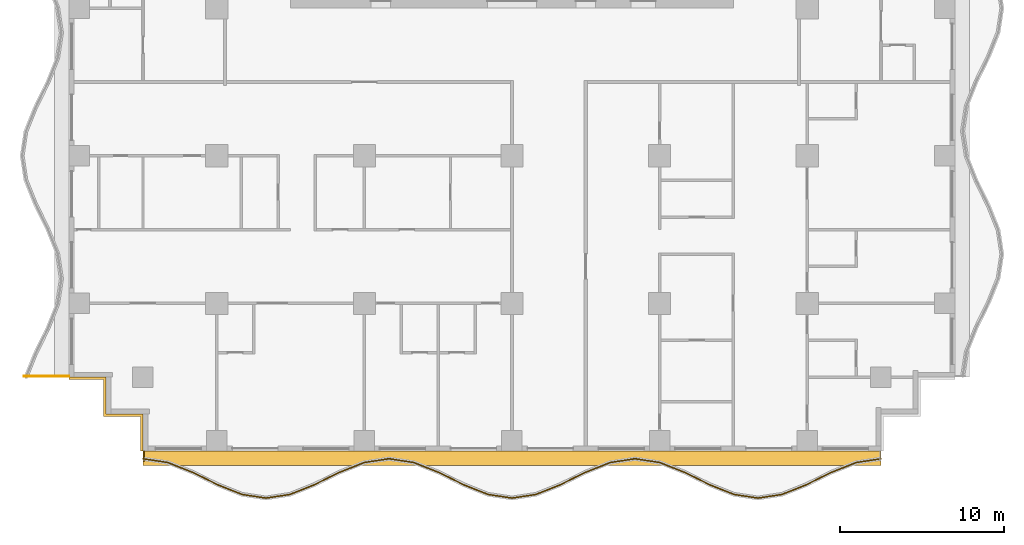
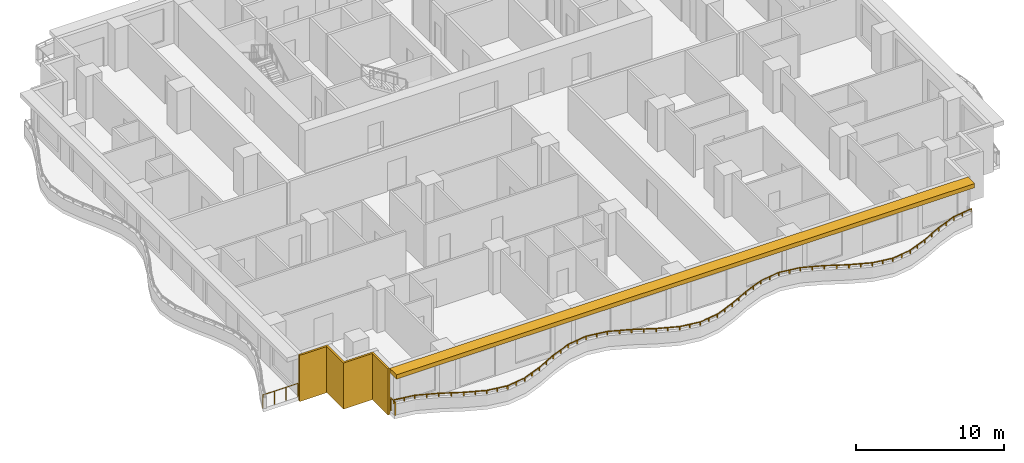
# One storey, part 7 of 13: 3 railings, 2 shading devices.
"""IFC4 building model written with IfcOpenShell, lengths in metres."""

from ifc_helpers import new_model, si_unit, direction, frame, origin, origin_2d, place, context, subcontext, project, spatial, polyline, rectangle, outline, extrude, material, layer, layer_set, type_object, element, save


model = new_model("IFC4")

# Units and contexts
model_context = context("Model", 3, precision=1e-05, world=origin(), true_north=direction((0.0, 1.0)))
body_context = subcontext(model_context, "Body", "Model", "MODEL_VIEW")
ifc_project = project(units=[si_unit("LENGTHUNIT", "METRE"), si_unit("AREAUNIT", "SQUARE_METRE"), si_unit("VOLUMEUNIT", "CUBIC_METRE"), si_unit("PLANEANGLEUNIT", "RADIAN"), si_unit("MASSUNIT", "GRAM", prefix="KILO")], contexts=[model_context])

# Site, building, storey
site_placement = place(None, origin())
site = spatial("IfcSite", under=ifc_project, at=site_placement, CompositionType="ELEMENT")
building_placement = place(site_placement, origin())
building = spatial("IfcBuilding", under=site, at=building_placement, Name="Orbiselva Terraces", CompositionType="ELEMENT")
storey_placement = place(building_placement, frame((0.0, 0.0, 99.8)))
storey = spatial("IfcBuildingStorey", under=building, at=storey_placement, Name="L25", CompositionType="ELEMENT", Elevation=99.8)

# Railings
ifc_material_1 = material(Name="Bonded two-ply safety glass balustrade, stainless steel posts", Category="steel")
railing_type_1 = type_object("IfcRailingType", Name="ENV-BALUSTRADE-1200", PredefinedType="BALUSTRADE", material=ifc_material_1)
railing_1_placement = place(storey_placement, frame((-22.481121, -22.976434, 0.9)))
element("IfcRailing", 1, at=railing_1_placement, inside=storey, type_object=railing_type_1, Name="Balcony balustrade L25 S", PredefinedType="BALUSTRADE", context=body_context, shape_type="SweptSolid", body=[
    extrude(outline(polyline([(0.028868, 0.0), (0.014434, 0.025), (-0.014434, 0.025), (-0.028868, 0.0), (-0.014434, -0.025), (0.014434, -0.025), (0.028868, 0.0)])), frame((0.0, 0.0, 0.275), z_axis=(0.988528588529, -0.151033869252, 0.0), x_axis=(0.151033869252, 0.988528588529, 0.0)), (0.0, 0.0, 1.0), 1.531776),
    extrude(outline(polyline([(0.028868, 0.0), (0.014434, 0.025), (-0.014434, 0.025), (-0.028868, 0.0), (-0.014434, -0.025), (0.014434, -0.025), (0.028868, 0.0)])), frame((1.514204, -0.23135, 0.275), z_axis=(0.92847681744, -0.371390359967, 0.0), x_axis=(0.371390359967, 0.92847681744, 0.0)), (0.0, 0.0, 1.0), 1.634838),
    extrude(outline(polyline([(0.028868, 0.0), (0.014434, 0.025), (-0.014434, 0.025), (-0.028868, 0.0), (-0.014434, -0.025), (0.014434, -0.025), (0.028868, 0.0)])), frame((3.032113, -0.838513, 0.275), z_axis=(0.896416672454, -0.443212307306, 0.0), x_axis=(0.443212307306, 0.896416672454, 0.0)), (0.0, 0.0, 1.0), 1.673329),
    extrude(outline(polyline([(0.028868, 0.0), (0.014434, 0.025), (-0.014434, 0.025), (-0.028868, 0.0), (-0.014434, -0.025), (0.014434, -0.025), (0.028868, 0.0)])), frame((4.532113, -1.580153, 0.275), z_axis=(0.928476561272, -0.371391000387, 0.0), x_axis=(0.371391000387, 0.928476561272, 0.0)), (0.0, 0.0, 1.0), 1.596261),
    extrude(outline(polyline([(0.028868, 0.0), (0.014434, 0.025), (-0.014434, 0.025), (-0.028868, 0.0), (-0.014434, -0.025), (0.014434, -0.025), (0.028868, 0.0)])), frame((6.014204, -2.17299, 0.275), z_axis=(0.988528606898, -0.151033749027, 0.0), x_axis=(0.151033749027, 0.988528606898, 0.0)), (0.0, 0.0, 1.0), 1.48394),
    extrude(outline(polyline([(0.028868, 0.0), (0.014434, 0.025), (-0.014434, 0.025), (-0.028868, 0.0), (-0.014434, -0.025), (0.014434, -0.025), (0.028868, 0.0)])), frame((7.481121, -2.397115, 0.275), z_axis=(0.988528606898, 0.151033749027, 0.0), x_axis=(-0.151033749027, 0.988528606898, 0.0)), (0.0, 0.0, 1.0), 1.48394),
    extrude(outline(polyline([(0.028868, 0.0), (0.014434, 0.025), (-0.014434, 0.025), (-0.028868, 0.0), (-0.014434, -0.025), (0.014434, -0.025), (0.028868, 0.0)])), frame((8.948038, -2.17299, 0.275), z_axis=(0.928476561272, 0.371391000387, 0.0), x_axis=(-0.371391000387, 0.928476561272, 0.0)), (0.0, 0.0, 1.0), 1.596261),
    extrude(outline(polyline([(0.028868, 0.0), (0.014434, 0.025), (-0.014434, 0.025), (-0.028868, 0.0), (-0.014434, -0.025), (0.014434, -0.025), (0.028868, 0.0)])), frame((10.430129, -1.580153, 0.275), z_axis=(0.896416672454, 0.443212307306, 0.0), x_axis=(-0.443212307306, 0.896416672454, 0.0)), (0.0, 0.0, 1.0), 1.673329),
    extrude(outline(polyline([(0.028868, 0.0), (0.014434, 0.025), (-0.014434, 0.025), (-0.028868, 0.0), (-0.014434, -0.025), (0.014434, -0.025), (0.028868, 0.0)])), frame((11.930129, -0.838513, 0.275), z_axis=(0.92847681744, 0.371390359967, 0.0), x_axis=(-0.371390359967, 0.92847681744, 0.0)), (0.0, 0.0, 1.0), 1.634838),
    extrude(outline(polyline([(0.028868, 0.0), (0.014434, 0.025), (-0.014434, 0.025), (-0.028868, 0.0), (-0.014434, -0.025), (0.014434, -0.025), (0.028868, 0.0)])), frame((13.448038, -0.23135, 0.275), z_axis=(0.988528536275, 0.151034211256, 0.0), x_axis=(-0.151034211256, 0.988528536275, 0.0)), (0.0, 0.0, 1.0), 1.550874),
    extrude(outline(polyline([(0.028868, 0.0), (0.014434, 0.025), (-0.014434, 0.025), (-0.028868, 0.0), (-0.014434, -0.025), (0.014434, -0.025), (0.028868, 0.0)])), frame((14.981121, 0.002885, 0.275), z_axis=(0.988528536275, -0.151034211256, 0.0), x_axis=(0.151034211256, 0.988528536275, 0.0)), (0.0, 0.0, 1.0), 1.550874),
    extrude(outline(polyline([(0.028868, 0.0), (0.014434, 0.025), (-0.014434, 0.025), (-0.028868, 0.0), (-0.014434, -0.025), (0.014434, -0.025), (0.028868, 0.0)])), frame((16.514204, -0.23135, 0.275), z_axis=(0.92847681744, -0.371390359967, 0.0), x_axis=(0.371390359967, 0.92847681744, 0.0)), (0.0, 0.0, 1.0), 1.634838),
    extrude(outline(polyline([(0.028868, 0.0), (0.014434, 0.025), (-0.014434, 0.025), (-0.028868, 0.0), (-0.014434, -0.025), (0.014434, -0.025), (0.028868, 0.0)])), frame((18.032113, -0.838513, 0.275), z_axis=(0.896416672454, -0.443212307306, 0.0), x_axis=(0.443212307306, 0.896416672454, 0.0)), (0.0, 0.0, 1.0), 1.673329),
    extrude(outline(polyline([(0.028868, 0.0), (0.014434, 0.025), (-0.014434, 0.025), (-0.028868, 0.0), (-0.014434, -0.025), (0.014434, -0.025), (0.028868, 0.0)])), frame((19.532113, -1.580153, 0.275), z_axis=(0.928476561272, -0.371391000387, 0.0), x_axis=(0.371391000387, 0.928476561272, 0.0)), (0.0, 0.0, 1.0), 1.596261),
    extrude(outline(polyline([(0.028868, 0.0), (0.014434, 0.025), (-0.014434, 0.025), (-0.028868, 0.0), (-0.014434, -0.025), (0.014434, -0.025), (0.028868, 0.0)])), frame((21.014204, -2.17299, 0.275), z_axis=(0.988528606898, -0.151033749027, 0.0), x_axis=(0.151033749027, 0.988528606898, 0.0)), (0.0, 0.0, 1.0), 1.48394),
    extrude(outline(polyline([(0.028868, 0.0), (0.014434, 0.025), (-0.014434, 0.025), (-0.028868, 0.0), (-0.014434, -0.025), (0.014434, -0.025), (0.028868, 0.0)])), frame((22.481121, -2.397115, 0.275), z_axis=(0.988528606898, 0.151033749027, 0.0), x_axis=(-0.151033749027, 0.988528606898, 0.0)), (0.0, 0.0, 1.0), 1.48394),
    extrude(outline(polyline([(0.028868, 0.0), (0.014434, 0.025), (-0.014434, 0.025), (-0.028868, 0.0), (-0.014434, -0.025), (0.014434, -0.025), (0.028868, 0.0)])), frame((23.948038, -2.17299, 0.275), z_axis=(0.928476561272, 0.371391000387, 0.0), x_axis=(-0.371391000387, 0.928476561272, 0.0)), (0.0, 0.0, 1.0), 1.596261),
    extrude(outline(polyline([(0.028868, 0.0), (0.014434, 0.025), (-0.014434, 0.025), (-0.028868, 0.0), (-0.014434, -0.025), (0.014434, -0.025), (0.028868, 0.0)])), frame((25.430129, -1.580153, 0.275), z_axis=(0.896416672454, 0.443212307306, 0.0), x_axis=(-0.443212307306, 0.896416672454, 0.0)), (0.0, 0.0, 1.0), 1.673329),
    extrude(outline(polyline([(0.028868, 0.0), (0.014434, 0.025), (-0.014434, 0.025), (-0.028868, 0.0), (-0.014434, -0.025), (0.014434, -0.025), (0.028868, 0.0)])), frame((26.930129, -0.838513, 0.275), z_axis=(0.92847681744, 0.371390359967, 0.0), x_axis=(-0.371390359967, 0.92847681744, 0.0)), (0.0, 0.0, 1.0), 1.634838),
    extrude(outline(polyline([(0.028868, 0.0), (0.014434, 0.025), (-0.014434, 0.025), (-0.028868, 0.0), (-0.014434, -0.025), (0.014434, -0.025), (0.028868, 0.0)])), frame((28.448038, -0.23135, 0.275), z_axis=(0.988528536275, 0.151034211256, 0.0), x_axis=(-0.151034211256, 0.988528536275, 0.0)), (0.0, 0.0, 1.0), 1.550874),
    extrude(outline(polyline([(0.028868, 0.0), (0.014434, 0.025), (-0.014434, 0.025), (-0.028868, 0.0), (-0.014434, -0.025), (0.014434, -0.025), (0.028868, 0.0)])), frame((29.981121, 0.002885, 0.275), z_axis=(0.988528536275, -0.151034211256, 0.0), x_axis=(0.151034211256, 0.988528536275, 0.0)), (0.0, 0.0, 1.0), 1.550874),
    extrude(outline(polyline([(0.028868, 0.0), (0.014434, 0.025), (-0.014434, 0.025), (-0.028868, 0.0), (-0.014434, -0.025), (0.014434, -0.025), (0.028868, 0.0)])), frame((31.514204, -0.23135, 0.275), z_axis=(0.92847681744, -0.371390359967, 0.0), x_axis=(0.371390359967, 0.92847681744, 0.0)), (0.0, 0.0, 1.0), 1.634838),
    extrude(outline(polyline([(0.028868, 0.0), (0.014434, 0.025), (-0.014434, 0.025), (-0.028868, 0.0), (-0.014434, -0.025), (0.014434, -0.025), (0.028868, 0.0)])), frame((33.032113, -0.838513, 0.275), z_axis=(0.896416672454, -0.443212307306, 0.0), x_axis=(0.443212307306, 0.896416672454, 0.0)), (0.0, 0.0, 1.0), 1.673329),
    extrude(outline(polyline([(0.028868, 0.0), (0.014434, 0.025), (-0.014434, 0.025), (-0.028868, 0.0), (-0.014434, -0.025), (0.014434, -0.025), (0.028868, 0.0)])), frame((34.532113, -1.580153, 0.275), z_axis=(0.928476561272, -0.371391000387, 0.0), x_axis=(0.371391000387, 0.928476561272, 0.0)), (0.0, 0.0, 1.0), 1.596261),
    extrude(outline(polyline([(0.028868, 0.0), (0.014434, 0.025), (-0.014434, 0.025), (-0.028868, 0.0), (-0.014434, -0.025), (0.014434, -0.025), (0.028868, 0.0)])), frame((36.014204, -2.17299, 0.275), z_axis=(0.988528606898, -0.151033749027, 0.0), x_axis=(0.151033749027, 0.988528606898, 0.0)), (0.0, 0.0, 1.0), 1.48394),
    extrude(outline(polyline([(0.028868, 0.0), (0.014434, 0.025), (-0.014434, 0.025), (-0.028868, 0.0), (-0.014434, -0.025), (0.014434, -0.025), (0.028868, 0.0)])), frame((37.481121, -2.397115, 0.275), z_axis=(0.988528606898, 0.151033749027, 0.0), x_axis=(-0.151033749027, 0.988528606898, 0.0)), (0.0, 0.0, 1.0), 1.48394),
    extrude(outline(polyline([(0.028868, 0.0), (0.014434, 0.025), (-0.014434, 0.025), (-0.028868, 0.0), (-0.014434, -0.025), (0.014434, -0.025), (0.028868, 0.0)])), frame((38.948038, -2.17299, 0.275), z_axis=(0.928476561272, 0.371391000387, 0.0), x_axis=(-0.371391000387, 0.928476561272, 0.0)), (0.0, 0.0, 1.0), 1.596261),
    extrude(outline(polyline([(0.028868, 0.0), (0.014434, 0.025), (-0.014434, 0.025), (-0.028868, 0.0), (-0.014434, -0.025), (0.014434, -0.025), (0.028868, 0.0)])), frame((40.430129, -1.580153, 0.275), z_axis=(0.896416672454, 0.443212307306, 0.0), x_axis=(-0.443212307306, 0.896416672454, 0.0)), (0.0, 0.0, 1.0), 1.673329),
    extrude(outline(polyline([(0.028868, 0.0), (0.014434, 0.025), (-0.014434, 0.025), (-0.028868, 0.0), (-0.014434, -0.025), (0.014434, -0.025), (0.028868, 0.0)])), frame((41.930129, -0.838513, 0.275), z_axis=(0.92847681744, 0.371390359967, 0.0), x_axis=(-0.371390359967, 0.92847681744, 0.0)), (0.0, 0.0, 1.0), 1.634838),
    extrude(outline(polyline([(0.028868, 0.0), (0.014434, 0.025), (-0.014434, 0.025), (-0.028868, 0.0), (-0.014434, -0.025), (0.014434, -0.025), (0.028868, 0.0)])), frame((43.448038, -0.23135, 0.275), z_axis=(0.988528588529, 0.151033869252, 0.0), x_axis=(-0.151033869252, 0.988528588529, 0.0)), (0.0, 0.0, 1.0), 1.531776),
    extrude(rectangle(XDim=0.05, YDim=0.05, at=origin_2d()), origin(), (0.0, 0.0, 1.0), 0.25),
    extrude(rectangle(XDim=0.05, YDim=0.05, at=origin_2d()), frame((0.757102, -0.115675, 0.0)), (0.0, 0.0, 1.0), 0.25),
    extrude(rectangle(XDim=0.05, YDim=0.05, at=origin_2d()), frame((1.514204, -0.23135, 0.0)), (0.0, 0.0, 1.0), 0.25),
    extrude(rectangle(XDim=0.05, YDim=0.05, at=origin_2d()), frame((2.273159, -0.534931, 0.0)), (0.0, 0.0, 1.0), 0.25),
    extrude(rectangle(XDim=0.05, YDim=0.05, at=origin_2d()), frame((3.032113, -0.838513, 0.0)), (0.0, 0.0, 1.0), 0.25),
    extrude(rectangle(XDim=0.05, YDim=0.05, at=origin_2d()), frame((3.782113, -1.209333, 0.0)), (0.0, 0.0, 1.0), 0.25),
    extrude(rectangle(XDim=0.05, YDim=0.05, at=origin_2d()), frame((4.532113, -1.580153, 0.0)), (0.0, 0.0, 1.0), 0.25),
    extrude(rectangle(XDim=0.05, YDim=0.05, at=origin_2d()), frame((5.273159, -1.876571, 0.0)), (0.0, 0.0, 1.0), 0.25),
    extrude(rectangle(XDim=0.05, YDim=0.05, at=origin_2d()), frame((6.014204, -2.17299, 0.0)), (0.0, 0.0, 1.0), 0.25),
    extrude(rectangle(XDim=0.05, YDim=0.05, at=origin_2d()), frame((6.747663, -2.285052, 0.0)), (0.0, 0.0, 1.0), 0.25),
    extrude(rectangle(XDim=0.05, YDim=0.05, at=origin_2d()), frame((7.481121, -2.397115, 0.0)), (0.0, 0.0, 1.0), 0.25),
    extrude(rectangle(XDim=0.05, YDim=0.05, at=origin_2d()), frame((8.21458, -2.285052, 0.0)), (0.0, 0.0, 1.0), 0.25),
    extrude(rectangle(XDim=0.05, YDim=0.05, at=origin_2d()), frame((8.948038, -2.17299, 0.0)), (0.0, 0.0, 1.0), 0.25),
    extrude(rectangle(XDim=0.05, YDim=0.05, at=origin_2d()), frame((9.689084, -1.876571, 0.0)), (0.0, 0.0, 1.0), 0.25),
    extrude(rectangle(XDim=0.05, YDim=0.05, at=origin_2d()), frame((10.430129, -1.580153, 0.0)), (0.0, 0.0, 1.0), 0.25),
    extrude(rectangle(XDim=0.05, YDim=0.05, at=origin_2d()), frame((11.180129, -1.209333, 0.0)), (0.0, 0.0, 1.0), 0.25),
    extrude(rectangle(XDim=0.05, YDim=0.05, at=origin_2d()), frame((11.930129, -0.838513, 0.0)), (0.0, 0.0, 1.0), 0.25),
    extrude(rectangle(XDim=0.05, YDim=0.05, at=origin_2d()), frame((12.689084, -0.534931, 0.0)), (0.0, 0.0, 1.0), 0.25),
    extrude(rectangle(XDim=0.05, YDim=0.05, at=origin_2d()), frame((13.448038, -0.23135, 0.0)), (0.0, 0.0, 1.0), 0.25),
    extrude(rectangle(XDim=0.05, YDim=0.05, at=origin_2d()), frame((14.21458, -0.114232, 0.0)), (0.0, 0.0, 1.0), 0.25),
    extrude(rectangle(XDim=0.05, YDim=0.05, at=origin_2d()), frame((14.981121, 0.002885, 0.0)), (0.0, 0.0, 1.0), 0.25),
    extrude(rectangle(XDim=0.05, YDim=0.05, at=origin_2d()), frame((15.747663, -0.114232, 0.0)), (0.0, 0.0, 1.0), 0.25),
    extrude(rectangle(XDim=0.05, YDim=0.05, at=origin_2d()), frame((16.514204, -0.23135, 0.0)), (0.0, 0.0, 1.0), 0.25),
    extrude(rectangle(XDim=0.05, YDim=0.05, at=origin_2d()), frame((17.273158, -0.534931, 0.0)), (0.0, 0.0, 1.0), 0.25),
    extrude(rectangle(XDim=0.05, YDim=0.05, at=origin_2d()), frame((18.032113, -0.838513, 0.0)), (0.0, 0.0, 1.0), 0.25),
    extrude(rectangle(XDim=0.05, YDim=0.05, at=origin_2d()), frame((18.782113, -1.209333, 0.0)), (0.0, 0.0, 1.0), 0.25),
    extrude(rectangle(XDim=0.05, YDim=0.05, at=origin_2d()), frame((19.532113, -1.580153, 0.0)), (0.0, 0.0, 1.0), 0.25),
    extrude(rectangle(XDim=0.05, YDim=0.05, at=origin_2d()), frame((20.273158, -1.876571, 0.0)), (0.0, 0.0, 1.0), 0.25),
    extrude(rectangle(XDim=0.05, YDim=0.05, at=origin_2d()), frame((21.014204, -2.17299, 0.0)), (0.0, 0.0, 1.0), 0.25),
    extrude(rectangle(XDim=0.05, YDim=0.05, at=origin_2d()), frame((21.747663, -2.285052, 0.0)), (0.0, 0.0, 1.0), 0.25),
    extrude(rectangle(XDim=0.05, YDim=0.05, at=origin_2d()), frame((22.481121, -2.397115, 0.0)), (0.0, 0.0, 1.0), 0.25),
    extrude(rectangle(XDim=0.05, YDim=0.05, at=origin_2d()), frame((23.21458, -2.285052, 0.0)), (0.0, 0.0, 1.0), 0.25),
    extrude(rectangle(XDim=0.05, YDim=0.05, at=origin_2d()), frame((23.948038, -2.17299, 0.0)), (0.0, 0.0, 1.0), 0.25),
    extrude(rectangle(XDim=0.05, YDim=0.05, at=origin_2d()), frame((24.689084, -1.876571, 0.0)), (0.0, 0.0, 1.0), 0.25),
    extrude(rectangle(XDim=0.05, YDim=0.05, at=origin_2d()), frame((25.430129, -1.580153, 0.0)), (0.0, 0.0, 1.0), 0.25),
    extrude(rectangle(XDim=0.05, YDim=0.05, at=origin_2d()), frame((26.180129, -1.209333, 0.0)), (0.0, 0.0, 1.0), 0.25),
    extrude(rectangle(XDim=0.05, YDim=0.05, at=origin_2d()), frame((26.930129, -0.838513, 0.0)), (0.0, 0.0, 1.0), 0.25),
    extrude(rectangle(XDim=0.05, YDim=0.05, at=origin_2d()), frame((27.689084, -0.534931, 0.0)), (0.0, 0.0, 1.0), 0.25),
    extrude(rectangle(XDim=0.05, YDim=0.05, at=origin_2d()), frame((28.448038, -0.23135, 0.0)), (0.0, 0.0, 1.0), 0.25),
    extrude(rectangle(XDim=0.05, YDim=0.05, at=origin_2d()), frame((29.21458, -0.114232, 0.0)), (0.0, 0.0, 1.0), 0.25),
    extrude(rectangle(XDim=0.05, YDim=0.05, at=origin_2d()), frame((29.981121, 0.002885, 0.0)), (0.0, 0.0, 1.0), 0.25),
    extrude(rectangle(XDim=0.05, YDim=0.05, at=origin_2d()), frame((30.747662, -0.114232, 0.0)), (0.0, 0.0, 1.0), 0.25),
    extrude(rectangle(XDim=0.05, YDim=0.05, at=origin_2d()), frame((31.514204, -0.23135, 0.0)), (0.0, 0.0, 1.0), 0.25),
    extrude(rectangle(XDim=0.05, YDim=0.05, at=origin_2d()), frame((32.273158, -0.534931, 0.0)), (0.0, 0.0, 1.0), 0.25),
    extrude(rectangle(XDim=0.05, YDim=0.05, at=origin_2d()), frame((33.032113, -0.838513, 0.0)), (0.0, 0.0, 1.0), 0.25),
    extrude(rectangle(XDim=0.05, YDim=0.05, at=origin_2d()), frame((33.782113, -1.209333, 0.0)), (0.0, 0.0, 1.0), 0.25),
    extrude(rectangle(XDim=0.05, YDim=0.05, at=origin_2d()), frame((34.532113, -1.580153, 0.0)), (0.0, 0.0, 1.0), 0.25),
    extrude(rectangle(XDim=0.05, YDim=0.05, at=origin_2d()), frame((35.273158, -1.876571, 0.0)), (0.0, 0.0, 1.0), 0.25),
    extrude(rectangle(XDim=0.05, YDim=0.05, at=origin_2d()), frame((36.014204, -2.17299, 0.0)), (0.0, 0.0, 1.0), 0.25),
    extrude(rectangle(XDim=0.05, YDim=0.05, at=origin_2d()), frame((36.747663, -2.285052, 0.0)), (0.0, 0.0, 1.0), 0.25),
    extrude(rectangle(XDim=0.05, YDim=0.05, at=origin_2d()), frame((37.481121, -2.397115, 0.0)), (0.0, 0.0, 1.0), 0.25),
    extrude(rectangle(XDim=0.05, YDim=0.05, at=origin_2d()), frame((38.21458, -2.285052, 0.0)), (0.0, 0.0, 1.0), 0.25),
    extrude(rectangle(XDim=0.05, YDim=0.05, at=origin_2d()), frame((38.948038, -2.17299, 0.0)), (0.0, 0.0, 1.0), 0.25),
    extrude(rectangle(XDim=0.05, YDim=0.05, at=origin_2d()), frame((39.689083, -1.876571, 0.0)), (0.0, 0.0, 1.0), 0.25),
    extrude(rectangle(XDim=0.05, YDim=0.05, at=origin_2d()), frame((40.430129, -1.580153, 0.0)), (0.0, 0.0, 1.0), 0.25),
    extrude(rectangle(XDim=0.05, YDim=0.05, at=origin_2d()), frame((41.180129, -1.209333, 0.0)), (0.0, 0.0, 1.0), 0.25),
    extrude(rectangle(XDim=0.05, YDim=0.05, at=origin_2d()), frame((41.930129, -0.838513, 0.0)), (0.0, 0.0, 1.0), 0.25),
    extrude(rectangle(XDim=0.05, YDim=0.05, at=origin_2d()), frame((42.689083, -0.534931, 0.0)), (0.0, 0.0, 1.0), 0.25),
    extrude(rectangle(XDim=0.05, YDim=0.05, at=origin_2d()), frame((43.448038, -0.23135, 0.0)), (0.0, 0.0, 1.0), 0.25),
    extrude(rectangle(XDim=0.05, YDim=0.05, at=origin_2d()), frame((44.20514, -0.115675, 0.0)), (0.0, 0.0, 1.0), 0.25),
    extrude(rectangle(XDim=0.05, YDim=0.05, at=origin_2d()), frame((44.962242, 0.0, 0.0)), (0.0, 0.0, 1.0), 0.25),
])
ifc_material_2 = material(Name="Stainless steel rail and posts", Category="steel")
railing_type_2 = type_object("IfcRailingType", Name="ENV-GUARD-1105", PredefinedType="BALUSTRADE", material=ifc_material_2)
railing_2_placement = place(storey_placement, frame((-22.44, -23.100379, 0.0)))
element("IfcRailing", 2, at=railing_2_placement, inside=storey, type_object=railing_type_2, Name="Balcony end guard L25 S", PredefinedType="BALUSTRADE", context=body_context, shape_type="SweptSolid", body=[
    extrude(outline(polyline([(0.028868, 0.0), (0.014434, 0.025), (-0.014434, 0.025), (-0.028868, 0.0), (-0.014434, -0.025), (0.014434, -0.025), (0.028868, 0.0)])), frame((0.0, 0.0, 1.08), z_axis=(0.0, 1.0, 0.0), x_axis=(-1.0, 0.0, 0.0)), (0.0, 0.0, 1.0), 0.575379),
    extrude(rectangle(XDim=0.05, YDim=0.05, at=origin_2d()), origin(), (0.0, 0.0, 1.0), 1.055),
    extrude(rectangle(XDim=0.05, YDim=0.05, at=origin_2d()), frame((0.0, 0.575379, 0.0)), (0.0, 0.0, 1.0), 1.055),
])
railing_3_placement = place(storey_placement, frame((-29.752788, -17.94, 0.0)))
element("IfcRailing", 3, at=railing_3_placement, inside=storey, type_object=railing_type_2, Name="Balcony end guard L25 W", PredefinedType="BALUSTRADE", context=body_context, shape_type="SweptSolid", body=[
    extrude(outline(polyline([(0.028868, 0.0), (0.014434, 0.025), (-0.014434, 0.025), (-0.028868, 0.0), (-0.014434, -0.025), (0.014434, -0.025), (0.028868, 0.0)])), frame((0.0, 0.0, 1.08), z_axis=(1.0, 0.0, 0.0), x_axis=(0.0, 1.0, 0.0)), (0.0, 0.0, 1.0), 2.727788),
    extrude(rectangle(XDim=0.05, YDim=0.05, at=origin_2d()), origin(), (0.0, 0.0, 1.0), 1.055),
    extrude(rectangle(XDim=0.05, YDim=0.05, at=origin_2d()), frame((0.909263, 0.0, 0.0)), (0.0, 0.0, 1.0), 1.055),
    extrude(rectangle(XDim=0.05, YDim=0.05, at=origin_2d()), frame((1.818525, 0.0, 0.0)), (0.0, 0.0, 1.0), 1.055),
    extrude(rectangle(XDim=0.05, YDim=0.05, at=origin_2d()), frame((2.727788, 0.0, 0.0)), (0.0, 0.0, 1.0), 1.055),
])

# Shading devices
ifc_material_3 = material(Name="Terracotta louvre screen", Category="masonry")
ifc_layer_1 = layer(ifc_material_3, 0.15)
ifc_layer_set_1 = layer_set([ifc_layer_1], Name="Terracotta louvre screen")
shading_device_type_1 = type_object("IfcShadingDeviceType", Name="ENV-SCREEN-150", PredefinedType="USERDEFINED", material=ifc_layer_set_1)
shading_device_1_placement = place(storey_placement, frame((0.0, 0.0, -0.3)))
element("IfcShadingDevice", 4, at=shading_device_1_placement, inside=storey, type_object=shading_device_type_1, Name="Louvre screen L25 SW", ObjectType="SCREEN", PredefinedType="USERDEFINED", context=body_context, shape_type="SweptSolid", body=[
    extrude(outline(polyline([(-27.0, -18.15), (-24.9, -18.15), (-24.9, -20.4), (-22.65, -20.4), (-22.65, -22.5), (-22.5, -22.5), (-22.5, -20.25), (-24.75, -20.25), (-24.75, -18.0), (-27.0, -18.0), (-27.0, -18.15)])), origin(), (0.0, 0.0, 1.0), 3.8),
])
ifc_material_4 = material(Name="Terracotta baguette sunshade", Category="masonry")
ifc_layer_2 = layer(ifc_material_4, 0.35)
ifc_layer_set_2 = layer_set([ifc_layer_2], Name="Terracotta baguette sunshade")
shading_device_type_2 = type_object("IfcShadingDeviceType", Name="ENV-SUNSHADE-900x350", PredefinedType="USERDEFINED", material=ifc_layer_set_2)
shading_device_2_placement = place(storey_placement, frame((0.0, 0.0, 3.15)))
element("IfcShadingDevice", 5, at=shading_device_2_placement, inside=storey, type_object=shading_device_type_2, Name="Sunshade band L25 S", ObjectType="SUNSHADE", PredefinedType="USERDEFINED", context=body_context, shape_type="SweptSolid", body=[
    extrude(outline(polyline([(-22.5, -23.4), (22.5, -23.4), (22.5, -22.5), (-22.5, -22.5), (-22.5, -23.4)])), origin(), (0.0, 0.0, 1.0), 0.35),
])

save(model, "model.ifc")
